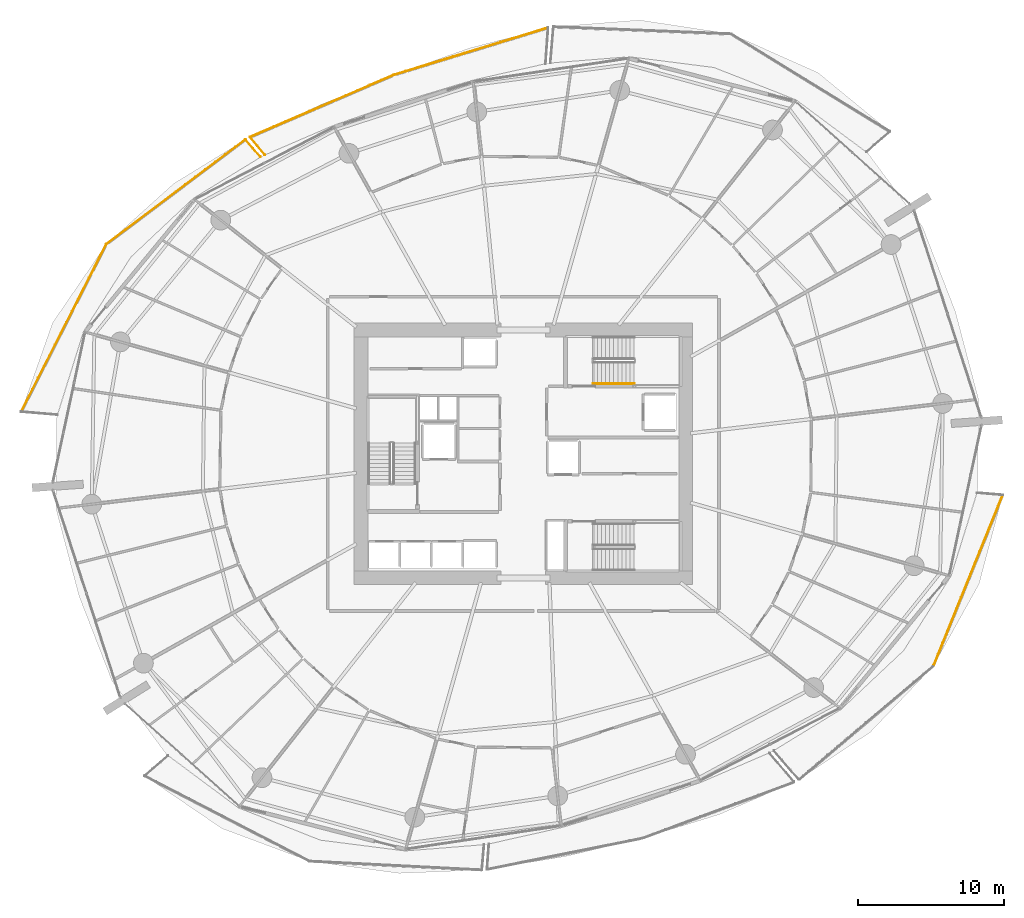
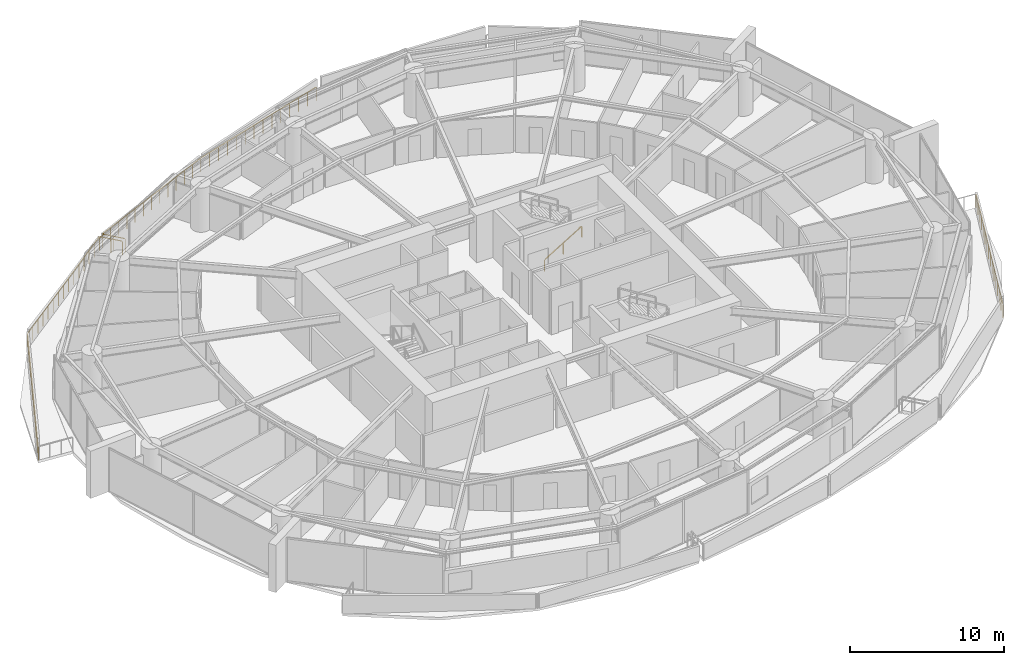
# One storey, part 29 of 31: 8 railings.
"""IFC4 building model written with IfcOpenShell, lengths in metres."""

from ifc_helpers import new_model, si_unit, direction, frame, origin, origin_2d, place, context, subcontext, project, spatial, rectangle, extrude, material, type_object, element, save


model = new_model("IFC4")

# Units and contexts
model_context = context("Model", 3, precision=1e-05, world=origin(), true_north=direction((0.0, 1.0)))
body_context = subcontext(model_context, "Body", "Model", "MODEL_VIEW")
ifc_project = project(units=[si_unit("LENGTHUNIT", "METRE"), si_unit("AREAUNIT", "SQUARE_METRE"), si_unit("VOLUMEUNIT", "CUBIC_METRE"), si_unit("PLANEANGLEUNIT", "RADIAN"), si_unit("MASSUNIT", "GRAM", prefix="KILO")], contexts=[model_context])

# Site, building, storey
site_placement = place(None, origin())
site = spatial("IfcSite", under=ifc_project, at=site_placement, CompositionType="ELEMENT")
building_placement = place(site_placement, origin())
building = spatial("IfcBuilding", under=site, at=building_placement, Name="Kazma Halo Residences", CompositionType="ELEMENT")
storey_placement = place(building_placement, frame((0.0, 0.0, 37.64990234375)))
storey = spatial("IfcBuildingStorey", under=building, at=storey_placement, Name="L08", CompositionType="ELEMENT", Elevation=37.64990234375)

# Railings
ifc_material_1 = material(Name="Aluminium AW-6063 T6 Brushed Cap Rail", Category="aluminium")
railing_type_1 = type_object("IfcRailingType", Name="RLG-BAL-CAP-1120", PredefinedType="BALUSTRADE", material=ifc_material_1)
railing_1_placement = place(storey_placement, frame((50.1142578125, 71.139892578125, 0.0)))
element("IfcRailing", 1, at=railing_1_placement, inside=storey, type_object=railing_type_1, Name="L08 NNW wave balcony guard 2", PredefinedType="BALUSTRADE", context=body_context, shape_type="SweptSolid", body=[
    extrude(rectangle(XDim=0.050048828125, YDim=0.050048828125, at=origin_2d()), frame((-0.040771484375, -0.012451171875, 1.09521484375), z_axis=(-0.956260694262, -0.29251578523, 0.0), x_axis=(0.29251578523, -0.956260694262, 0.0)), (0.0, 0.0, 1.0), 10.931884765625),
    extrude(rectangle(XDim=0.0400390625, YDim=0.0400390625, at=origin_2d()), origin(), (0.0, 0.0, 1.0), 1.05810546875),
    extrude(rectangle(XDim=0.0400390625, YDim=0.0400390625, at=origin_2d()), frame((-0.810302734375, -0.247802734375, 0.0)), (0.0, 0.0, 1.0), 1.05810546875),
    extrude(rectangle(XDim=0.0400390625, YDim=0.0400390625, at=origin_2d()), frame((-1.620849609375, -0.495849609375, 0.0)), (0.0, 0.0, 1.0), 1.05810546875),
    extrude(rectangle(XDim=0.0400390625, YDim=0.0400390625, at=origin_2d()), frame((-2.43115234375, -0.74365234375, 0.0)), (0.0, 0.0, 1.0), 1.05810546875),
    extrude(rectangle(XDim=0.0400390625, YDim=0.0400390625, at=origin_2d()), frame((-3.24169921875, -0.99169921875, 0.0)), (0.0, 0.0, 1.0), 1.05810546875),
    extrude(rectangle(XDim=0.0400390625, YDim=0.0400390625, at=origin_2d()), frame((-4.052001953125, -1.239501953125, 0.0)), (0.0, 0.0, 1.0), 1.05810546875),
    extrude(rectangle(XDim=0.0400390625, YDim=0.0400390625, at=origin_2d()), frame((-4.8623046875, -1.4873046875, 0.0)), (0.0, 0.0, 1.0), 1.05810546875),
    extrude(rectangle(XDim=0.0400390625, YDim=0.0400390625, at=origin_2d()), frame((-5.6728515625, -1.7353515625, 0.0)), (0.0, 0.0, 1.0), 1.05810546875),
    extrude(rectangle(XDim=0.0400390625, YDim=0.0400390625, at=origin_2d()), frame((-6.483154296875, -1.983154296875, 0.0)), (0.0, 0.0, 1.0), 1.05810546875),
    extrude(rectangle(XDim=0.0400390625, YDim=0.0400390625, at=origin_2d()), frame((-7.29345703125, -2.23095703125, 0.0)), (0.0, 0.0, 1.0), 1.05810546875),
    extrude(rectangle(XDim=0.0400390625, YDim=0.0400390625, at=origin_2d()), frame((-8.10400390625, -2.47900390625, 0.0)), (0.0, 0.0, 1.0), 1.05810546875),
    extrude(rectangle(XDim=0.0400390625, YDim=0.0400390625, at=origin_2d()), frame((-8.914306640625, -2.726806640625, 0.0)), (0.0, 0.0, 1.0), 1.05810546875),
    extrude(rectangle(XDim=0.0400390625, YDim=0.0400390625, at=origin_2d()), frame((-9.724853515625, -2.974853515625, 0.0)), (0.0, 0.0, 1.0), 1.05810546875),
    extrude(rectangle(XDim=0.0400390625, YDim=0.0400390625, at=origin_2d()), frame((-10.53515625, -3.22265625, 0.0)), (0.0, 0.0, 1.0), 1.05810546875),
])
railing_2_placement = place(storey_placement, frame((39.5791015625, 67.917236328125, 0.0)))
element("IfcRailing", 2, at=railing_2_placement, inside=storey, type_object=railing_type_1, Name="L08 NNW wave balcony guard 3", PredefinedType="BALUSTRADE", context=body_context, shape_type="SweptSolid", body=[
    extrude(rectangle(XDim=0.050048828125, YDim=0.050048828125, at=origin_2d()), frame((-0.0390625, -0.016845703125, 1.09521484375), z_axis=(-0.917882347647, -0.396852612285, 0.0), x_axis=(0.396852612285, -0.917882347647, 0.0)), (0.0, 0.0, 1.0), 10.645751953125),
    extrude(rectangle(XDim=0.0400390625, YDim=0.0400390625, at=origin_2d()), origin(), (0.0, 0.0, 1.0), 1.05810546875),
    extrude(rectangle(XDim=0.0400390625, YDim=0.0400390625, at=origin_2d()), frame((-0.82080078125, -0.35498046875, 0.0)), (0.0, 0.0, 1.0), 1.05810546875),
    extrude(rectangle(XDim=0.0400390625, YDim=0.0400390625, at=origin_2d()), frame((-1.6416015625, -0.709716796875, 0.0)), (0.0, 0.0, 1.0), 1.05810546875),
    extrude(rectangle(XDim=0.0400390625, YDim=0.0400390625, at=origin_2d()), frame((-2.46240234375, -1.064697265625, 0.0)), (0.0, 0.0, 1.0), 1.05810546875),
    extrude(rectangle(XDim=0.0400390625, YDim=0.0400390625, at=origin_2d()), frame((-3.283203125, -1.41943359375, 0.0)), (0.0, 0.0, 1.0), 1.05810546875),
    extrude(rectangle(XDim=0.0400390625, YDim=0.0400390625, at=origin_2d()), frame((-4.10400390625, -1.7744140625, 0.0)), (0.0, 0.0, 1.0), 1.05810546875),
    extrude(rectangle(XDim=0.0400390625, YDim=0.0400390625, at=origin_2d()), frame((-4.9248046875, -2.12939453125, 0.0)), (0.0, 0.0, 1.0), 1.05810546875),
    extrude(rectangle(XDim=0.0400390625, YDim=0.0400390625, at=origin_2d()), frame((-5.74560546875, -2.484130859375, 0.0)), (0.0, 0.0, 1.0), 1.05810546875),
    extrude(rectangle(XDim=0.0400390625, YDim=0.0400390625, at=origin_2d()), frame((-6.56640625, -2.839111328125, 0.0)), (0.0, 0.0, 1.0), 1.05810546875),
    extrude(rectangle(XDim=0.0400390625, YDim=0.0400390625, at=origin_2d()), frame((-7.38720703125, -3.19384765625, 0.0)), (0.0, 0.0, 1.0), 1.05810546875),
    extrude(rectangle(XDim=0.0400390625, YDim=0.0400390625, at=origin_2d()), frame((-8.2080078125, -3.548828125, 0.0)), (0.0, 0.0, 1.0), 1.05810546875),
    extrude(rectangle(XDim=0.0400390625, YDim=0.0400390625, at=origin_2d()), frame((-9.02880859375, -3.903564453125, 0.0)), (0.0, 0.0, 1.0), 1.05810546875),
    extrude(rectangle(XDim=0.0400390625, YDim=0.0400390625, at=origin_2d()), frame((-9.849609375, -4.258544921875, 0.0)), (0.0, 0.0, 1.0), 1.05810546875),
])
railing_3_placement = place(storey_placement, frame((29.7294921875, 63.65869140625, 0.0)))
element("IfcRailing", 3, at=railing_3_placement, inside=storey, type_object=railing_type_1, Name="L08 NNW wave balcony guard 4", PredefinedType="BALUSTRADE", context=body_context, shape_type="SweptSolid", body=[
    extrude(rectangle(XDim=0.050048828125, YDim=0.050048828125, at=origin_2d()), frame((0.02734375, -0.032470703125, 1.09521484375), z_axis=(0.644747248545, -0.764395830374, 0.0), x_axis=(0.764395830374, 0.644747248545, 0.0)), (0.0, 0.0, 1.0), 1.50048828125),
    extrude(rectangle(XDim=0.0400390625, YDim=0.0400390625, at=origin_2d()), origin(), (0.0, 0.0, 1.0), 1.05810546875),
    extrude(rectangle(XDim=0.0400390625, YDim=0.0400390625, at=origin_2d()), frame((0.51123046875, -0.60595703125, 0.0)), (0.0, 0.0, 1.0), 1.05810546875),
    extrude(rectangle(XDim=0.0400390625, YDim=0.0400390625, at=origin_2d()), frame((1.022216796875, -1.2119140625, 0.0)), (0.0, 0.0, 1.0), 1.05810546875),
])
railing_4_placement = place(storey_placement, frame((30.453857421875, 62.29150390625, 0.0)))
element("IfcRailing", 4, at=railing_4_placement, inside=storey, type_object=railing_type_1, Name="L08 NW wave balcony guard 1", PredefinedType="BALUSTRADE", context=body_context, shape_type="SweptSolid", body=[
    extrude(rectangle(XDim=0.050048828125, YDim=0.050048828125, at=origin_2d()), frame((-0.02783203125, 0.0322265625, 1.09521484375), z_axis=(-0.654071252244, 0.756432942823, 0.0), x_axis=(-0.756432942823, -0.654071252244, 0.0)), (0.0, 0.0, 1.0), 1.505859375),
    extrude(rectangle(XDim=0.0400390625, YDim=0.0400390625, at=origin_2d()), origin(), (0.0, 0.0, 1.0), 1.05810546875),
    extrude(rectangle(XDim=0.0400390625, YDim=0.0400390625, at=origin_2d()), frame((-0.520263671875, 0.6015625, 0.0)), (0.0, 0.0, 1.0), 1.05810546875),
    extrude(rectangle(XDim=0.0400390625, YDim=0.0400390625, at=origin_2d()), frame((-1.04052734375, 1.203369140625, 0.0)), (0.0, 0.0, 1.0), 1.05810546875),
])
railing_5_placement = place(storey_placement, frame((29.413330078125, 63.494873046875, 0.0)))
element("IfcRailing", 5, at=railing_5_placement, inside=storey, type_object=railing_type_1, Name="L08 NW wave balcony guard 2", PredefinedType="BALUSTRADE", context=body_context, shape_type="SweptSolid", body=[
    extrude(rectangle(XDim=0.050048828125, YDim=0.050048828125, at=origin_2d()), frame((-0.033935546875, -0.025634765625, 1.09521484375), z_axis=(-0.798924940179, -0.60143074411, 0.0), x_axis=(0.60143074411, -0.798924940179, 0.0)), (0.0, 0.0, 1.0), 11.837890625),
    extrude(rectangle(XDim=0.0400390625, YDim=0.0400390625, at=origin_2d()), origin(), (0.0, 0.0, 1.0), 1.05810546875),
    extrude(rectangle(XDim=0.0400390625, YDim=0.0400390625, at=origin_2d()), frame((-0.680419921875, -0.51220703125, 0.0)), (0.0, 0.0, 1.0), 1.05810546875),
    extrude(rectangle(XDim=0.0400390625, YDim=0.0400390625, at=origin_2d()), frame((-1.36083984375, -1.0244140625, 0.0)), (0.0, 0.0, 1.0), 1.05810546875),
    extrude(rectangle(XDim=0.0400390625, YDim=0.0400390625, at=origin_2d()), frame((-2.041259765625, -1.53662109375, 0.0)), (0.0, 0.0, 1.0), 1.05810546875),
    extrude(rectangle(XDim=0.0400390625, YDim=0.0400390625, at=origin_2d()), frame((-2.7216796875, -2.048828125, 0.0)), (0.0, 0.0, 1.0), 1.05810546875),
    extrude(rectangle(XDim=0.0400390625, YDim=0.0400390625, at=origin_2d()), frame((-3.402099609375, -2.56103515625, 0.0)), (0.0, 0.0, 1.0), 1.05810546875),
    extrude(rectangle(XDim=0.0400390625, YDim=0.0400390625, at=origin_2d()), frame((-4.08251953125, -3.0732421875, 0.0)), (0.0, 0.0, 1.0), 1.05810546875),
    extrude(rectangle(XDim=0.0400390625, YDim=0.0400390625, at=origin_2d()), frame((-4.7626953125, -3.58544921875, 0.0)), (0.0, 0.0, 1.0), 1.05810546875),
    extrude(rectangle(XDim=0.0400390625, YDim=0.0400390625, at=origin_2d()), frame((-5.443115234375, -4.09765625, 0.0)), (0.0, 0.0, 1.0), 1.05810546875),
    extrude(rectangle(XDim=0.0400390625, YDim=0.0400390625, at=origin_2d()), frame((-6.12353515625, -4.60986328125, 0.0)), (0.0, 0.0, 1.0), 1.05810546875),
    extrude(rectangle(XDim=0.0400390625, YDim=0.0400390625, at=origin_2d()), frame((-6.803955078125, -5.1220703125, 0.0)), (0.0, 0.0, 1.0), 1.05810546875),
    extrude(rectangle(XDim=0.0400390625, YDim=0.0400390625, at=origin_2d()), frame((-7.484375, -5.63427734375, 0.0)), (0.0, 0.0, 1.0), 1.05810546875),
    extrude(rectangle(XDim=0.0400390625, YDim=0.0400390625, at=origin_2d()), frame((-8.164794921875, -6.146484375, 0.0)), (0.0, 0.0, 1.0), 1.05810546875),
    extrude(rectangle(XDim=0.0400390625, YDim=0.0400390625, at=origin_2d()), frame((-8.84521484375, -6.65869140625, 0.0)), (0.0, 0.0, 1.0), 1.05810546875),
    extrude(rectangle(XDim=0.0400390625, YDim=0.0400390625, at=origin_2d()), frame((-9.525634765625, -7.1708984375, 0.0)), (0.0, 0.0, 1.0), 1.05810546875),
])
railing_6_placement = place(storey_placement, frame((19.8876953125, 56.323974609375, 0.0)))
element("IfcRailing", 6, at=railing_6_placement, inside=storey, type_object=railing_type_1, Name="L08 NW wave balcony guard 3", PredefinedType="BALUSTRADE", context=body_context, shape_type="SweptSolid", body=[
    extrude(rectangle(XDim=0.050048828125, YDim=0.050048828125, at=origin_2d()), frame((-0.019287109375, -0.037841796875, 1.09521484375), z_axis=(-0.452781224199, -0.891621647905, 0.0), x_axis=(0.891621647905, -0.452781224199, 0.0)), (0.0, 0.0, 1.0), 12.751708984375),
    extrude(rectangle(XDim=0.0400390625, YDim=0.0400390625, at=origin_2d()), origin(), (0.0, 0.0, 1.0), 1.05810546875),
    extrude(rectangle(XDim=0.0400390625, YDim=0.0400390625, at=origin_2d()), frame((-0.387451171875, -0.762939453125, 0.0)), (0.0, 0.0, 1.0), 1.05810546875),
    extrude(rectangle(XDim=0.0400390625, YDim=0.0400390625, at=origin_2d()), frame((-0.77490234375, -1.526123046875, 0.0)), (0.0, 0.0, 1.0), 1.05810546875),
    extrude(rectangle(XDim=0.0400390625, YDim=0.0400390625, at=origin_2d()), frame((-1.162353515625, -2.2890625, 0.0)), (0.0, 0.0, 1.0), 1.05810546875),
    extrude(rectangle(XDim=0.0400390625, YDim=0.0400390625, at=origin_2d()), frame((-1.550048828125, -3.05224609375, 0.0)), (0.0, 0.0, 1.0), 1.05810546875),
    extrude(rectangle(XDim=0.0400390625, YDim=0.0400390625, at=origin_2d()), frame((-1.9375, -3.815185546875, 0.0)), (0.0, 0.0, 1.0), 1.05810546875),
    extrude(rectangle(XDim=0.0400390625, YDim=0.0400390625, at=origin_2d()), frame((-2.324951171875, -4.578125, 0.0)), (0.0, 0.0, 1.0), 1.05810546875),
    extrude(rectangle(XDim=0.0400390625, YDim=0.0400390625, at=origin_2d()), frame((-2.71240234375, -5.34130859375, 0.0)), (0.0, 0.0, 1.0), 1.05810546875),
    extrude(rectangle(XDim=0.0400390625, YDim=0.0400390625, at=origin_2d()), frame((-3.099853515625, -6.104248046875, 0.0)), (0.0, 0.0, 1.0), 1.05810546875),
    extrude(rectangle(XDim=0.0400390625, YDim=0.0400390625, at=origin_2d()), frame((-3.4873046875, -6.867431640625, 0.0)), (0.0, 0.0, 1.0), 1.05810546875),
    extrude(rectangle(XDim=0.0400390625, YDim=0.0400390625, at=origin_2d()), frame((-3.874755859375, -7.63037109375, 0.0)), (0.0, 0.0, 1.0), 1.05810546875),
    extrude(rectangle(XDim=0.0400390625, YDim=0.0400390625, at=origin_2d()), frame((-4.26220703125, -8.393310546875, 0.0)), (0.0, 0.0, 1.0), 1.05810546875),
    extrude(rectangle(XDim=0.0400390625, YDim=0.0400390625, at=origin_2d()), frame((-4.64990234375, -9.156494140625, 0.0)), (0.0, 0.0, 1.0), 1.05810546875),
    extrude(rectangle(XDim=0.0400390625, YDim=0.0400390625, at=origin_2d()), frame((-5.037353515625, -9.91943359375, 0.0)), (0.0, 0.0, 1.0), 1.05810546875),
    extrude(rectangle(XDim=0.0400390625, YDim=0.0400390625, at=origin_2d()), frame((-5.4248046875, -10.6826171875, 0.0)), (0.0, 0.0, 1.0), 1.05810546875),
    extrude(rectangle(XDim=0.0400390625, YDim=0.0400390625, at=origin_2d()), frame((-5.812255859375, -11.445556640625, 0.0)), (0.0, 0.0, 1.0), 1.05810546875),
])
railing_7_placement = place(storey_placement, frame((76.466796875, 27.49560546875, 0.0)))
element("IfcRailing", 7, at=railing_7_placement, inside=storey, type_object=railing_type_1, Name="L08 SE wave balcony guard 3", PredefinedType="BALUSTRADE", context=body_context, shape_type="SweptSolid", body=[
    extrude(rectangle(XDim=0.050048828125, YDim=0.050048828125, at=origin_2d()), frame((0.015869140625, 0.039306640625, 1.09521484375), z_axis=(0.375742405834, 0.926724146906, 0.0), x_axis=(-0.926724146906, 0.375742405834, 0.0)), (0.0, 0.0, 1.0), 12.526123046875),
    extrude(rectangle(XDim=0.0400390625, YDim=0.0400390625, at=origin_2d()), origin(), (0.0, 0.0, 1.0), 1.05810546875),
    extrude(rectangle(XDim=0.0400390625, YDim=0.0400390625, at=origin_2d()), frame((0.31591796875, 0.779052734375, 0.0)), (0.0, 0.0, 1.0), 1.05810546875),
    extrude(rectangle(XDim=0.0400390625, YDim=0.0400390625, at=origin_2d()), frame((0.6318359375, 1.558349609375, 0.0)), (0.0, 0.0, 1.0), 1.05810546875),
    extrude(rectangle(XDim=0.0400390625, YDim=0.0400390625, at=origin_2d()), frame((0.94775390625, 2.33740234375, 0.0)), (0.0, 0.0, 1.0), 1.05810546875),
    extrude(rectangle(XDim=0.0400390625, YDim=0.0400390625, at=origin_2d()), frame((1.263671875, 3.116455078125, 0.0)), (0.0, 0.0, 1.0), 1.05810546875),
    extrude(rectangle(XDim=0.0400390625, YDim=0.0400390625, at=origin_2d()), frame((1.57958984375, 3.895751953125, 0.0)), (0.0, 0.0, 1.0), 1.05810546875),
    extrude(rectangle(XDim=0.0400390625, YDim=0.0400390625, at=origin_2d()), frame((1.8955078125, 4.6748046875, 0.0)), (0.0, 0.0, 1.0), 1.05810546875),
    extrude(rectangle(XDim=0.0400390625, YDim=0.0400390625, at=origin_2d()), frame((2.21142578125, 5.453857421875, 0.0)), (0.0, 0.0, 1.0), 1.05810546875),
    extrude(rectangle(XDim=0.0400390625, YDim=0.0400390625, at=origin_2d()), frame((2.527099609375, 6.233154296875, 0.0)), (0.0, 0.0, 1.0), 1.05810546875),
    extrude(rectangle(XDim=0.0400390625, YDim=0.0400390625, at=origin_2d()), frame((2.843017578125, 7.01220703125, 0.0)), (0.0, 0.0, 1.0), 1.05810546875),
    extrude(rectangle(XDim=0.0400390625, YDim=0.0400390625, at=origin_2d()), frame((3.158935546875, 7.791259765625, 0.0)), (0.0, 0.0, 1.0), 1.05810546875),
    extrude(rectangle(XDim=0.0400390625, YDim=0.0400390625, at=origin_2d()), frame((3.474853515625, 8.570556640625, 0.0)), (0.0, 0.0, 1.0), 1.05810546875),
    extrude(rectangle(XDim=0.0400390625, YDim=0.0400390625, at=origin_2d()), frame((3.790771484375, 9.349609375, 0.0)), (0.0, 0.0, 1.0), 1.05810546875),
    extrude(rectangle(XDim=0.0400390625, YDim=0.0400390625, at=origin_2d()), frame((4.106689453125, 10.128662109375, 0.0)), (0.0, 0.0, 1.0), 1.05810546875),
    extrude(rectangle(XDim=0.0400390625, YDim=0.0400390625, at=origin_2d()), frame((4.422607421875, 10.907958984375, 0.0)), (0.0, 0.0, 1.0), 1.05810546875),
    extrude(rectangle(XDim=0.0400390625, YDim=0.0400390625, at=origin_2d()), frame((4.738525390625, 11.68701171875, 0.0)), (0.0, 0.0, 1.0), 1.05810546875),
])
ifc_material_2 = material(Name="Brushed Stainless Steel", Category="steel")
railing_type_2 = type_object("IfcRailingType", Name="RLG-STAIR-HND-900", PredefinedType="HANDRAIL", material=ifc_material_2)
railing_8_placement = place(storey_placement, frame((53.199951171875, 46.800048828125, 0.170654296875)))
element("IfcRailing", 8, at=railing_8_placement, inside=storey, type_object=railing_type_2, Name="L08 ST-02 stair handrail 1", PredefinedType="HANDRAIL", context=body_context, shape_type="SweptSolid", body=[
    extrude(rectangle(XDim=0.050048828125, YDim=0.050048828125, at=origin_2d()), frame((0.036376953125, 0.0, 0.89697265625), z_axis=(0.854202870247, 0.0, 0.519939858505), x_axis=(0.0, 1.0, 0.0)), (0.0, 0.0, 1.0), 3.19287109375),
    extrude(rectangle(XDim=0.0400390625, YDim=0.0400390625, at=origin_2d()), origin(), (0.0, 0.0, 1.0), 0.837890625),
    extrude(rectangle(XDim=0.0400390625, YDim=0.0400390625, at=origin_2d()), frame((1.39990234375, 0.0, 0.85205078125)), (0.0, 0.0, 1.0), 0.837890625),
    extrude(rectangle(XDim=0.0400390625, YDim=0.0400390625, at=origin_2d()), frame((2.800048828125, 0.0, 1.704345703125)), (0.0, 0.0, 1.0), 0.837890625),
])

save(model, "model.ifc")
